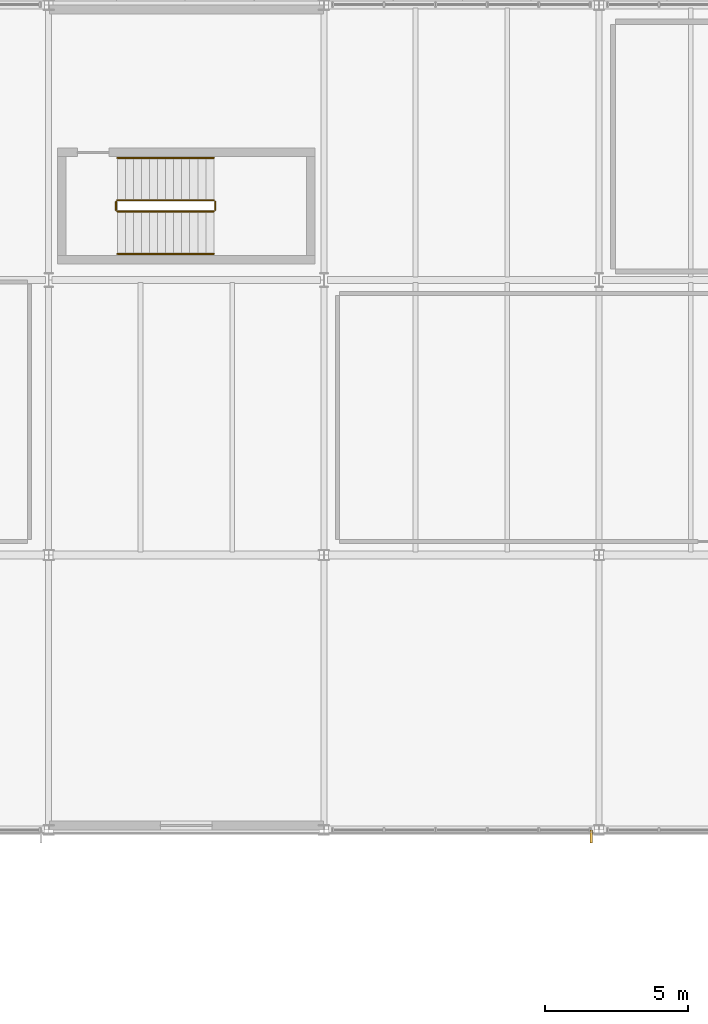
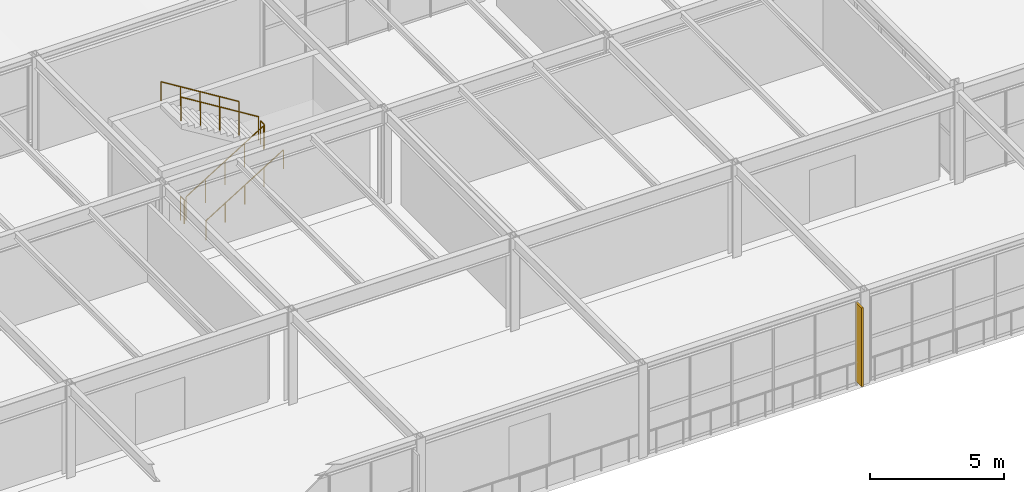
# One storey, part 167 of 170: 6 railings, 1 shading device.
"""IFC4 building model written with IfcOpenShell, lengths in metres."""

from ifc_helpers import new_model, si_unit, direction, frame, origin, origin_2d, place, context, subcontext, project, spatial, rectangle, circle, extrude, material, type_object, element, save


model = new_model("IFC4")

# Units and contexts
model_context = context("Model", 3, precision=1e-05, world=origin(), true_north=direction((0.0, 1.0)))
body_context = subcontext(model_context, "Body", "Model", "MODEL_VIEW")
ifc_project = project(units=[si_unit("LENGTHUNIT", "METRE"), si_unit("AREAUNIT", "SQUARE_METRE"), si_unit("VOLUMEUNIT", "CUBIC_METRE"), si_unit("PLANEANGLEUNIT", "RADIAN"), si_unit("MASSUNIT", "GRAM", prefix="KILO")], contexts=[model_context])

# Site, building, storey
site_placement = place(None, origin())
site = spatial("IfcSite", under=ifc_project, at=site_placement, CompositionType="ELEMENT")
building_placement = place(site_placement, origin())
building = spatial("IfcBuilding", under=site, at=building_placement, Name="Coralgate Yard Interchange", CompositionType="ELEMENT")
storey_placement = place(building_placement, frame((0.0, 0.0, 6.0)))
storey = spatial("IfcBuildingStorey", under=building, at=storey_placement, Name="L01", CompositionType="ELEMENT", Elevation=6.0)

# Railings
ifc_material_1 = material(Name="Grade 316 marine stainless steel and toughened glass balustrade", Category="steel")
railing_type_1 = type_object("IfcRailingType", Name="RLG-GD1100", PredefinedType="BALUSTRADE", material=ifc_material_1)
railing_1_placement = place(storey_placement, frame((79.199951171875, 88.7900390625, 0.173095703125)))
element("IfcRailing", 1, at=railing_1_placement, inside=storey, type_object=railing_type_1, Name="L01 ST-09 stair guard 1", PredefinedType="BALUSTRADE", context=body_context, shape_type="SweptSolid", body=[
    extrude(circle(Radius=0.02392578125, at=origin_2d()), frame((0.0, 0.0, 1.076171875), z_axis=(0.850623216509, 0.0, 0.525775754039), x_axis=(0.0, 1.0, 0.0)), (0.0, 0.0, 1.0), 3.9501953125),
    extrude(circle(Radius=0.02099609375, at=origin_2d()), origin(), (0.0, 0.0, 1.0), 1.051513671875),
    extrude(circle(Radius=0.02099609375, at=origin_2d()), frame((0.840087890625, 0.0, 0.519287109375)), (0.0, 0.0, 1.0), 1.051513671875),
    extrude(circle(Radius=0.02099609375, at=origin_2d()), frame((1.68017578125, 0.0, 1.03857421875)), (0.0, 0.0, 1.0), 1.051513671875),
    extrude(circle(Radius=0.02099609375, at=origin_2d()), frame((2.52001953125, 0.0, 1.5576171875)), (0.0, 0.0, 1.0), 1.051513671875),
    extrude(circle(Radius=0.02099609375, at=origin_2d()), frame((3.360107421875, 0.0, 2.076904296875)), (0.0, 0.0, 1.0), 1.051513671875),
])
railing_2_placement = place(storey_placement, frame((82.610107421875, 88.840087890625, 2.25)))
element("IfcRailing", 2, at=railing_2_placement, inside=storey, type_object=railing_type_1, Name="L01 ST-09 stair guard 2", PredefinedType="BALUSTRADE", context=body_context, shape_type="SweptSolid", body=[
    extrude(circle(Radius=0.02392578125, at=origin_2d()), frame((0.0, 0.0, 1.076171875), z_axis=(0.0, 1.0, 0.0), x_axis=(-1.0, 0.0, 0.0)), (0.0, 0.0, 1.0), 0.289794921875),
    extrude(circle(Radius=0.02099609375, at=origin_2d()), origin(), (0.0, 0.0, 1.0), 1.051513671875),
    extrude(circle(Radius=0.02099609375, at=origin_2d()), frame((0.0, 0.289794921875, 0.0)), (0.0, 0.0, 1.0), 1.051513671875),
])
railing_3_placement = place(storey_placement, frame((82.56005859375, 89.179931640625, 2.423095703125)))
element("IfcRailing", 3, at=railing_3_placement, inside=storey, type_object=railing_type_1, Name="L01 ST-09 stair guard 3", PredefinedType="BALUSTRADE", context=body_context, shape_type="SweptSolid", body=[
    extrude(circle(Radius=0.02392578125, at=origin_2d()), frame((0.0, 0.0, 1.076171875), z_axis=(-0.850623216509, 0.0, 0.525775754039), x_axis=(0.0, -1.0, 0.0)), (0.0, 0.0, 1.0), 3.9501953125),
    extrude(circle(Radius=0.02099609375, at=origin_2d()), origin(), (0.0, 0.0, 1.0), 1.051513671875),
    extrude(circle(Radius=0.02099609375, at=origin_2d()), frame((-0.840087890625, 0.0, 0.519287109375)), (0.0, 0.0, 1.0), 1.051513671875),
    extrude(circle(Radius=0.02099609375, at=origin_2d()), frame((-1.68017578125, 0.0, 1.03857421875)), (0.0, 0.0, 1.0), 1.051513671875),
    extrude(circle(Radius=0.02099609375, at=origin_2d()), frame((-2.52001953125, 0.0, 1.5576171875)), (0.0, 0.0, 1.0), 1.051513671875),
    extrude(circle(Radius=0.02099609375, at=origin_2d()), frame((-3.360107421875, 0.0, 2.076904296875)), (0.0, 0.0, 1.0), 1.051513671875),
])
railing_4_placement = place(storey_placement, frame((79.14990234375, 88.840087890625, 0.0)))
element("IfcRailing", 4, at=railing_4_placement, inside=storey, type_object=railing_type_1, Name="L01 ST-09 stair guard 4", PredefinedType="BALUSTRADE", context=body_context, shape_type="SweptSolid", body=[
    extrude(circle(Radius=0.02392578125, at=origin_2d()), frame((0.0, 0.0, 1.076171875), z_axis=(0.0, 1.0, 0.0), x_axis=(-1.0, 0.0, 0.0)), (0.0, 0.0, 1.0), 0.289794921875),
    extrude(circle(Radius=0.02099609375, at=origin_2d()), origin(), (0.0, 0.0, 1.0), 1.051513671875),
    extrude(circle(Radius=0.02099609375, at=origin_2d()), frame((0.0, 0.289794921875, 0.0)), (0.0, 0.0, 1.0), 1.051513671875),
])
ifc_material_2 = material(Name="Grade 316 marine stainless steel", Category="steel")
railing_type_2 = type_object("IfcRailingType", Name="RLG-HR900", PredefinedType="HANDRAIL", material=ifc_material_2)
railing_5_placement = place(storey_placement, frame((79.199951171875, 87.31005859375, 0.173095703125)))
element("IfcRailing", 5, at=railing_5_placement, inside=storey, type_object=railing_type_2, Name="L01 ST-09 stair handrail 1", PredefinedType="HANDRAIL", context=body_context, shape_type="SweptSolid", body=[
    extrude(circle(Radius=0.02392578125, at=origin_2d()), frame((0.0, 0.0, 0.8759765625), z_axis=(0.850623216509, 0.0, 0.525775754039), x_axis=(0.0, 1.0, 0.0)), (0.0, 0.0, 1.0), 3.9501953125),
    extrude(circle(Radius=0.02099609375, at=origin_2d()), origin(), (0.0, 0.0, 1.0), 0.851318359375),
    extrude(circle(Radius=0.02099609375, at=origin_2d()), frame((0.840087890625, 0.0, 0.519287109375)), (0.0, 0.0, 1.0), 0.851318359375),
    extrude(circle(Radius=0.02099609375, at=origin_2d()), frame((1.68017578125, 0.0, 1.03857421875)), (0.0, 0.0, 1.0), 0.851318359375),
    extrude(circle(Radius=0.02099609375, at=origin_2d()), frame((2.52001953125, 0.0, 1.5576171875)), (0.0, 0.0, 1.0), 0.851318359375),
    extrude(circle(Radius=0.02099609375, at=origin_2d()), frame((3.360107421875, 0.0, 2.076904296875)), (0.0, 0.0, 1.0), 0.851318359375),
])
railing_6_placement = place(storey_placement, frame((82.56005859375, 90.659912109375, 2.423095703125)))
element("IfcRailing", 6, at=railing_6_placement, inside=storey, type_object=railing_type_2, Name="L01 ST-09 stair handrail 2", PredefinedType="HANDRAIL", context=body_context, shape_type="SweptSolid", body=[
    extrude(circle(Radius=0.02392578125, at=origin_2d()), frame((0.0, 0.0, 0.8759765625), z_axis=(-0.850623216509, 0.0, 0.525775754039), x_axis=(0.0, -1.0, 0.0)), (0.0, 0.0, 1.0), 3.9501953125),
    extrude(circle(Radius=0.02099609375, at=origin_2d()), origin(), (0.0, 0.0, 1.0), 0.851318359375),
    extrude(circle(Radius=0.02099609375, at=origin_2d()), frame((-0.840087890625, 0.0, 0.519287109375)), (0.0, 0.0, 1.0), 0.851318359375),
    extrude(circle(Radius=0.02099609375, at=origin_2d()), frame((-1.68017578125, 0.0, 1.03857421875)), (0.0, 0.0, 1.0), 0.851318359375),
    extrude(circle(Radius=0.02099609375, at=origin_2d()), frame((-2.52001953125, 0.0, 1.5576171875)), (0.0, 0.0, 1.0), 0.851318359375),
    extrude(circle(Radius=0.02099609375, at=origin_2d()), frame((-3.360107421875, 0.0, 2.076904296875)), (0.0, 0.0, 1.0), 0.851318359375),
])

# Shading device
ifc_material_3 = material(Name="Anodised coastal aluminium vertical brise-soleil blade", Category="aluminium")
shading_device_type = type_object("IfcShadingDeviceType", Name="SHD-BS1", PredefinedType="SHUTTER", material=ifc_material_3)
shading_device_placement = place(storey_placement, frame((95.72998046875, 66.97998046875, 0.14990234375), z_axis=(0.0, 0.0, 1.0), x_axis=(-1.0, 0.0, 0.0)))
element("IfcShadingDevice", 7, at=shading_device_placement, inside=storey, type_object=shading_device_type, Name="L01 coastal aluminium brise-soleil fin S-9-7", PredefinedType="SHUTTER", context=body_context, shape_type="SweptSolid", body=[
    extrude(rectangle(XDim=0.080078125, YDim=0.449951171875, at=origin_2d()), origin(), (0.0, 0.0, 1.0), 3.60009765625),
])

save(model, "model.ifc")
